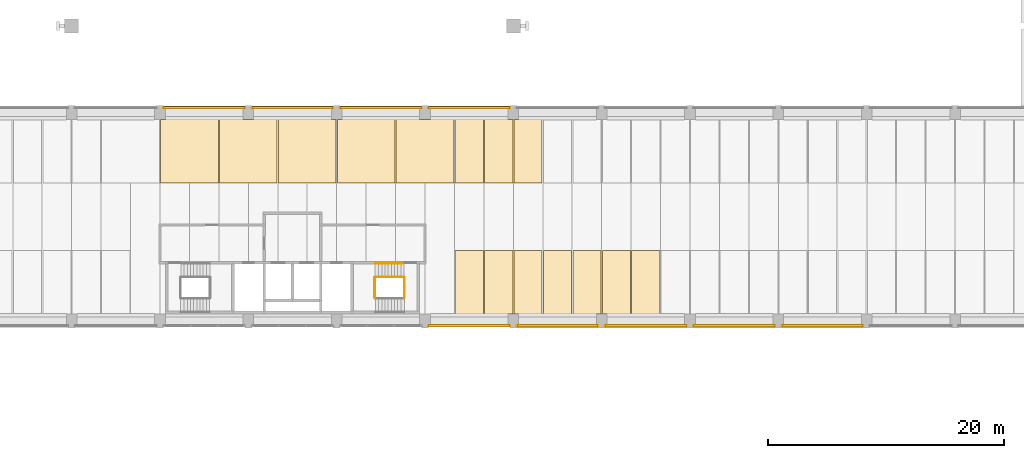
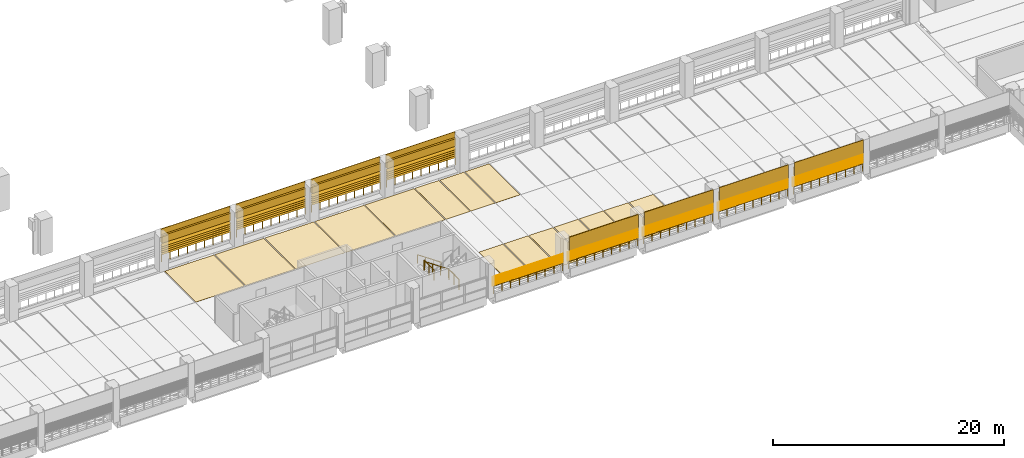
# One storey, part 42 of 57: 45 shading devices, 23 coverings, 13 railings.
"""IFC4 building model written with IfcOpenShell, lengths in metres."""

import ifcopenshell
import ifcopenshell.guid

model = None  # the IFC model being written
_history = None  # IfcOwnerHistory: only IFC2X3 demands one
_inside = {}  # id of a spatial element -> (the spatial element, [elements in it])
_under = {}  # id of a project, library or spatial element -> (it, [spatial elements below it])
_declared = {}  # id of a project -> (the project, [libraries it declares])
_typed = {}  # id of a type object -> (the type object, [elements of that type])
_made_of = {}  # id of a material, layer set ... -> (it, [elements and type objects made of it])


def new_model(schema):
    """Start an empty IFC model of exactly this schema.

    Asked for "IFC4X3", IfcOpenShell would pick the latest addendum, in which some entities
    have other attributes; the version numbers below select the first issue.
    IFC2X3 requires an IfcOwnerHistory on every rooted entity: one is made here for all.
    """
    global model, _history
    if schema == "IFC4X3":
        model = ifcopenshell.file(schema_version=(4, 3, 0, 0))
    else:
        model = ifcopenshell.file(schema=schema)
    _inside.clear()
    _under.clear()
    _declared.clear()
    _typed.clear()
    _made_of.clear()
    _history = None
    if model.schema == "IFC2X3":
        org = make("IfcOrganization", Name="unknown")
        user = make(
            "IfcPersonAndOrganization",
            ThePerson=make("IfcPerson", FamilyName="unknown"),
            TheOrganization=org,
        )
        app = make(
            "IfcApplication",
            ApplicationDeveloper=org,
            Version="unknown",
            ApplicationFullName="unknown",
            ApplicationIdentifier="unknown",
        )
        _history = make(
            "IfcOwnerHistory",
            OwningUser=user,
            OwningApplication=app,
            ChangeAction="ADDED",
            CreationDate=0,
        )
    return model


def make(cls, **values):
    """One entity of the class cls with the attributes given. An attribute that is None is left unset."""
    return model.create_entity(
        cls, **{name: value for name, value in values.items() if value is not None}
    )


def rooted(cls, **values):
    """An entity with a GlobalId (a new one), such as an element, a storey or a relation."""
    return make(cls, GlobalId=ifcopenshell.guid.new(), OwnerHistory=_history, **values)


def si_unit(unit_type, name, prefix=None):
    """IfcSIUnit, for example si_unit("LENGTHUNIT", "METRE", prefix="MILLI")."""
    return make("IfcSIUnit", UnitType=unit_type, Prefix=prefix, Name=name)


def assignment(units):
    """IfcUnitAssignment: the units of a project."""
    return None if units is None else make("IfcUnitAssignment", Units=units)


def point(xyz):
    """IfcCartesianPoint."""
    return None if xyz is None else make("IfcCartesianPoint", Coordinates=xyz)


def direction(xyz):
    """IfcDirection."""
    return None if xyz is None else make("IfcDirection", DirectionRatios=xyz)


def frame(location, z_axis=None, x_axis=None):
    """IfcAxis2Placement3D, a coordinate frame: its origin and axes. An axis left out is left unset."""
    return make(
        "IfcAxis2Placement3D",
        Location=point(location),
        Axis=direction(z_axis),
        RefDirection=direction(x_axis),
    )


def frame_2d(location, x_axis=None):
    """IfcAxis2Placement2D, a coordinate frame in the plane: its origin and x axis."""
    return make(
        "IfcAxis2Placement2D", Location=point(location), RefDirection=direction(x_axis)
    )


def origin():
    """The frame at (0, 0, 0) with its axes left unset."""
    return frame((0.0, 0.0, 0.0))


def origin_2d():
    """The frame at (0, 0) in the plane with its x axis left unset."""
    return frame_2d((0.0, 0.0))


def place(relative_to, where):
    """IfcLocalPlacement: puts the frame where relative to a parent placement (None: the world)."""
    return make(
        "IfcLocalPlacement", PlacementRelTo=relative_to, RelativePlacement=where
    )


def context(
    kind, dimensions, precision=None, world=None, true_north=None, identifier=None
):
    """IfcGeometricRepresentationContext, for example the 3D "Model" context."""
    return make(
        "IfcGeometricRepresentationContext",
        ContextIdentifier=identifier,
        ContextType=kind,
        CoordinateSpaceDimension=dimensions,
        Precision=precision,
        WorldCoordinateSystem=world,
        TrueNorth=true_north,
    )


def subcontext(parent, identifier, kind, view, scale=None):
    """IfcGeometricRepresentationSubContext, for example "Body" below "Model"."""
    return make(
        "IfcGeometricRepresentationSubContext",
        ContextIdentifier=identifier,
        ContextType=kind,
        ParentContext=parent,
        TargetScale=scale,
        TargetView=view,
    )


def project(units=None, contexts=None):
    """IfcProject with its units and contexts."""
    return rooted(
        "IfcProject",
        Name="project",
        RepresentationContexts=contexts,
        UnitsInContext=assignment(units),
    )


def spatial(cls, under=None, at=None, **own):
    """A site, building, storey or space (cls), placed at a placement, below another one or the project."""
    s = rooted(cls, ObjectPlacement=at, **own)
    if under is not None:
        _under.setdefault(under.id(), (under, []))[1].append(s)
    return s


def polyline(points):
    """IfcPolyline through the points."""
    return make("IfcPolyline", Points=[point(p) for p in points])


def profile(cls, at=None, kind="AREA", **sizes):
    """A parametric profile (cls). Its sizes go by their IFC names, for example OverallWidth=200.0."""
    return make(cls, ProfileType=kind, Position=at, **sizes)


def circle(**sizes):
    """IfcCircleProfileDef."""
    return profile("IfcCircleProfileDef", **sizes)


def outline(outer, holes=None, kind="AREA"):
    """IfcArbitraryClosedProfileDef: a profile drawn as a closed curve; with holes, ...WithVoids."""
    if holes is None:
        return make("IfcArbitraryClosedProfileDef", ProfileType=kind, OuterCurve=outer)
    return make(
        "IfcArbitraryProfileDefWithVoids",
        ProfileType=kind,
        OuterCurve=outer,
        InnerCurves=holes,
    )


def extrude(swept, where, along, depth):
    """IfcExtrudedAreaSolid: the profile swept, set in the frame where, extruded along a direction by depth."""
    return make(
        "IfcExtrudedAreaSolid",
        SweptArea=swept,
        Position=where,
        ExtrudedDirection=direction(along),
        Depth=depth,
    )


def shape(context_of_items, identifier, shape_type, items):
    """IfcShapeRepresentation: the items that make up one representation, for example the "Body"."""
    return make(
        "IfcShapeRepresentation",
        ContextOfItems=context_of_items,
        RepresentationIdentifier=identifier,
        RepresentationType=shape_type,
        Items=items,
    )


def material(Name=None, Category=None):
    """IfcMaterial."""
    return make("IfcMaterial", Name=Name, Category=Category)


def layer(
    of_material, thickness, ventilated=None, Name=None, Category=None, Priority=None
):
    """IfcMaterialLayer: one layer of a wall or slab, of a material (None: an air gap)."""
    return make(
        "IfcMaterialLayer",
        Material=of_material,
        LayerThickness=thickness,
        IsVentilated=ventilated,
        Name=Name,
        Category=Category,
        Priority=Priority,
    )


def layer_set(layers, Name=None):
    """IfcMaterialLayerSet."""
    return make("IfcMaterialLayerSet", MaterialLayers=layers, LayerSetName=Name)


def made_of(thing, what):
    """Note that an element or type object is made of a material, layer set ...; save() writes the relation."""
    if what is not None:
        _made_of.setdefault(what.id(), (what, []))[1].append(thing)
    return thing


def type_object(cls, material=None, **own):
    """A type object (cls), such as IfcWallType, which elements share."""
    return made_of(rooted(cls, **own), material)


def element(
    cls,
    number,
    at=None,
    inside=None,
    cuts=None,
    type_object=None,
    material=None,
    context=None,
    identifier="Body",
    shape_type=None,
    held_by="IfcProductDefinitionShape",
    body=None,
    shapes=None,
    **own,
):
    """One element of the class cls, such as IfcWall. Its Tag is "e" and its number.

    at: its placement. inside: the storey or other place that contains it. cuts: it is an
    opening in that element (IfcRelVoidsElement). A single representation is given by context,
    identifier, shape_type and body (its items); several are given by shapes. held_by: the class
    of the entity that holds the representations. save() writes the other relations.
    """
    e = rooted(cls, Tag="e%d" % number, ObjectPlacement=at, **own)
    if body is not None:
        shapes = [shape(context, identifier, shape_type, body)]
    if shapes is not None:
        e.Representation = make(held_by, Representations=shapes)
    if inside is not None:
        _inside.setdefault(inside.id(), (inside, []))[1].append(e)
    if cuts is not None:
        rooted(
            "IfcRelVoidsElement", RelatingBuildingElement=cuts, RelatedOpeningElement=e
        )
    if type_object is not None:
        _typed.setdefault(type_object.id(), (type_object, []))[1].append(e)
    return made_of(e, material)


def aggregate(whole, parts):
    """IfcRelAggregates: a whole, such as a stair, and the parts it consists of."""
    return rooted("IfcRelAggregates", RelatingObject=whole, RelatedObjects=parts)


def save(model, path):
    """Write the relations noted so far, then the file.

    IfcRelAggregates (storeys below a building ...), IfcRelContainedInSpatialStructure (elements
    in a storey), IfcRelDefinesByType, IfcRelAssociatesMaterial and IfcRelDeclares: one each for
    every whole, place, type object, material and project.
    """
    for whole, parts in _under.values():
        aggregate(whole, parts)
    for where, things in _inside.values():
        rooted(
            "IfcRelContainedInSpatialStructure",
            RelatedElements=things,
            RelatingStructure=where,
        )
    for kind, things in _typed.values():
        rooted("IfcRelDefinesByType", RelatedObjects=things, RelatingType=kind)
    for what, things in _made_of.values():
        rooted("IfcRelAssociatesMaterial", RelatedObjects=things, RelatingMaterial=what)
    for by, libraries in _declared.values():
        rooted("IfcRelDeclares", RelatingContext=by, RelatedDefinitions=libraries)
    model.write(path)


model = new_model("IFC4")

# Units and contexts
model_context = context("Model", 3, precision=1e-05, world=origin(), true_north=direction((0.0, 1.0)))
body_context = subcontext(model_context, "Body", "Model", "MODEL_VIEW")
ifc_project = project(units=[si_unit("LENGTHUNIT", "METRE"), si_unit("AREAUNIT", "SQUARE_METRE"), si_unit("VOLUMEUNIT", "CUBIC_METRE"), si_unit("PLANEANGLEUNIT", "RADIAN"), si_unit("MASSUNIT", "GRAM", prefix="KILO")], contexts=[model_context])

# Site, building, storey
site_placement = place(None, origin())
site = spatial("IfcSite", under=ifc_project, at=site_placement, CompositionType="ELEMENT")
building_placement = place(site_placement, origin())
building = spatial("IfcBuilding", under=site, at=building_placement, Name="Cour d'Honneur Mobility Palace", CompositionType="ELEMENT")
storey_placement = place(building_placement, frame((0.0, 0.0, 8.199951171875)))
storey = spatial("IfcBuildingStorey", under=building, at=storey_placement, Name="L02", CompositionType="ELEMENT", Elevation=8.199951171875)

# Coverings
ifc_material_1 = material(Name="Accessible bay marking paint")
ifc_layer_1 = layer(ifc_material_1, 0.0048828125)
ifc_layer_set_1 = layer_set([ifc_layer_1], Name="Accessible bay marking paint")
covering_type_1 = type_object("IfcCoveringType", Name="Accessible parking bay marking", PredefinedType="FLOORING", material=ifc_layer_set_1)
covering_1_placement = place(storey_placement, origin())
element("IfcCovering", 1, at=covering_1_placement, inside=storey, type_object=covering_type_1, Name="Accessible parking bay marking L02 2", PredefinedType="FLOORING", context=body_context, shape_type="SweptSolid", body=[
    extrude(outline(polyline([(69.949951171875, 56.550048828125), (69.949951171875, 61.949951171875), (74.85009765625, 61.949951171875), (74.85009765625, 56.550048828125), (69.949951171875, 56.550048828125)])), origin(), (0.0, 0.0, 1.0), 0.005126953125),
])
covering_2_placement = place(storey_placement, origin())
element("IfcCovering", 2, at=covering_2_placement, inside=storey, type_object=covering_type_1, Name="Accessible parking bay marking L02 3", PredefinedType="FLOORING", context=body_context, shape_type="SweptSolid", body=[
    extrude(outline(polyline([(74.949951171875, 56.550048828125), (74.949951171875, 61.949951171875), (79.85009765625, 61.949951171875), (79.85009765625, 56.550048828125), (74.949951171875, 56.550048828125)])), origin(), (0.0, 0.0, 1.0), 0.005126953125),
])
covering_3_placement = place(storey_placement, origin())
element("IfcCovering", 3, at=covering_3_placement, inside=storey, type_object=covering_type_1, Name="Accessible parking bay marking L02 4", PredefinedType="FLOORING", context=body_context, shape_type="SweptSolid", body=[
    extrude(outline(polyline([(79.949951171875, 56.550048828125), (79.949951171875, 61.949951171875), (84.85009765625, 61.949951171875), (84.85009765625, 56.550048828125), (79.949951171875, 56.550048828125)])), origin(), (0.0, 0.0, 1.0), 0.005126953125),
])
covering_4_placement = place(storey_placement, origin())
element("IfcCovering", 4, at=covering_4_placement, inside=storey, type_object=covering_type_1, Name="Accessible parking bay marking L02 5", PredefinedType="FLOORING", context=body_context, shape_type="SweptSolid", body=[
    extrude(outline(polyline([(84.949951171875, 56.550048828125), (84.949951171875, 61.949951171875), (89.85009765625, 61.949951171875), (89.85009765625, 56.550048828125), (84.949951171875, 56.550048828125)])), origin(), (0.0, 0.0, 1.0), 0.005126953125),
])
covering_5_placement = place(storey_placement, origin())
element("IfcCovering", 5, at=covering_5_placement, inside=storey, type_object=covering_type_1, Name="Accessible parking bay marking L02 6", PredefinedType="FLOORING", context=body_context, shape_type="SweptSolid", body=[
    extrude(outline(polyline([(89.949951171875, 56.550048828125), (89.949951171875, 61.949951171875), (94.85009765625, 61.949951171875), (94.85009765625, 56.550048828125), (89.949951171875, 56.550048828125)])), origin(), (0.0, 0.0, 1.0), 0.005126953125),
])

# Railings
ifc_material_2 = material(Name="Painted steel", Category="steel")
railing_type_1 = type_object("IfcRailingType", Name="Balustrade", PredefinedType="BALUSTRADE", material=ifc_material_2)
for number, where, name in (
    (6, (92.699951171875, 44.449951171875, 0.300048828125), "Balustrade BAL-81"),
    (7, (100.199951171875, 44.449951171875, 0.300048828125), "Balustrade BAL-82"),
    (8, (107.699951171875, 44.449951171875, 0.300048828125), "Balustrade BAL-83"),
    (9, (115.199951171875, 44.449951171875, 0.300048828125), "Balustrade BAL-84"),
    (10, (122.699951171875, 44.449951171875, 0.300048828125), "Balustrade BAL-85"),
):
    element("IfcRailing", number, at=place(storey_placement, frame(where)), inside=storey, type_object=railing_type_1, Name=name, PredefinedType="BALUSTRADE", context=body_context, shape_type="SweptSolid", body=[
        extrude(circle(Radius=0.02392578125, at=origin_2d()), frame((0.0, 0.0, 0.77587890625), z_axis=(1.0, 0.0, 0.0), x_axis=(0.0, 1.0, 0.0)), (0.0, 0.0, 1.0), 6.900146484375),
        extrude(circle(Radius=0.02099609375, at=origin_2d()), origin(), (0.0, 0.0, 1.0), 0.751953125),
        extrude(circle(Radius=0.02099609375, at=origin_2d()), frame((0.862548828125, 0.0, 0.0)), (0.0, 0.0, 1.0), 0.751953125),
        extrude(circle(Radius=0.02099609375, at=origin_2d()), frame((1.72509765625, 0.0, 0.0)), (0.0, 0.0, 1.0), 0.751953125),
        extrude(circle(Radius=0.02099609375, at=origin_2d()), frame((2.587646484375, 0.0, 0.0)), (0.0, 0.0, 1.0), 0.751953125),
        extrude(circle(Radius=0.02099609375, at=origin_2d()), frame((3.4501953125, 0.0, 0.0)), (0.0, 0.0, 1.0), 0.751953125),
        extrude(circle(Radius=0.02099609375, at=origin_2d()), frame((4.3125, 0.0, 0.0)), (0.0, 0.0, 1.0), 0.751953125),
        extrude(circle(Radius=0.02099609375, at=origin_2d()), frame((5.175048828125, 0.0, 0.0)), (0.0, 0.0, 1.0), 0.751953125),
        extrude(circle(Radius=0.02099609375, at=origin_2d()), frame((6.03759765625, 0.0, 0.0)), (0.0, 0.0, 1.0), 0.751953125),
        extrude(circle(Radius=0.02099609375, at=origin_2d()), frame((6.900146484375, 0.0, 0.0)), (0.0, 0.0, 1.0), 0.751953125),
    ])
for number, where, name in (
    (11, (99.60009765625, 62.949951171875, 0.300048828125), "Balustrade BAL-111"),
    (12, (92.10009765625, 62.949951171875, 0.300048828125), "Balustrade BAL-112"),
    (13, (84.60009765625, 62.949951171875, 0.300048828125), "Balustrade BAL-113"),
    (14, (77.10009765625, 62.949951171875, 0.300048828125), "Balustrade BAL-114"),
):
    element("IfcRailing", number, at=place(storey_placement, frame(where)), inside=storey, type_object=railing_type_1, Name=name, PredefinedType="BALUSTRADE", context=body_context, shape_type="SweptSolid", body=[
        extrude(circle(Radius=0.02392578125, at=origin_2d()), frame((0.0, 0.0, 0.77587890625), z_axis=(-1.0, 0.0, 0.0), x_axis=(0.0, -1.0, 0.0)), (0.0, 0.0, 1.0), 6.900146484375),
        extrude(circle(Radius=0.02099609375, at=origin_2d()), origin(), (0.0, 0.0, 1.0), 0.751953125),
        extrude(circle(Radius=0.02099609375, at=origin_2d()), frame((-0.862548828125, 0.0, 0.0)), (0.0, 0.0, 1.0), 0.751953125),
        extrude(circle(Radius=0.02099609375, at=origin_2d()), frame((-1.72509765625, 0.0, 0.0)), (0.0, 0.0, 1.0), 0.751953125),
        extrude(circle(Radius=0.02099609375, at=origin_2d()), frame((-2.587646484375, 0.0, 0.0)), (0.0, 0.0, 1.0), 0.751953125),
        extrude(circle(Radius=0.02099609375, at=origin_2d()), frame((-3.4501953125, 0.0, 0.0)), (0.0, 0.0, 1.0), 0.751953125),
        extrude(circle(Radius=0.02099609375, at=origin_2d()), frame((-4.3125, 0.0, 0.0)), (0.0, 0.0, 1.0), 0.751953125),
        extrude(circle(Radius=0.02099609375, at=origin_2d()), frame((-5.175048828125, 0.0, 0.0)), (0.0, 0.0, 1.0), 0.751953125),
        extrude(circle(Radius=0.02099609375, at=origin_2d()), frame((-6.03759765625, 0.0, 0.0)), (0.0, 0.0, 1.0), 0.751953125),
        extrude(circle(Radius=0.02099609375, at=origin_2d()), frame((-6.900146484375, 0.0, 0.0)), (0.0, 0.0, 1.0), 0.751953125),
    ])
ifc_material_3 = material(Name="Painted steel", Category="steel")
railing_type_2 = type_object("IfcRailingType", Name="Guardrail 1100", PredefinedType="GUARDRAIL", material=ifc_material_3)
for number, where, name in (
    (15, (90.64501953125, 46.824951171875, 0.0), "Guard ST-CC2"),
    (16, (88.135009765625, 46.824951171875, 1.85009765625), "Landing guard ST-CC2"),
):
    element("IfcRailing", number, at=place(storey_placement, frame(where)), inside=storey, type_object=railing_type_2, Name=name, PredefinedType="GUARDRAIL", context=body_context, shape_type="SweptSolid", body=[
        extrude(circle(Radius=0.02490234375, at=origin_2d()), frame((0.0, 0.0, 1.0751953125), z_axis=(0.0, 1.0, 0.0), x_axis=(-1.0, 0.0, 0.0)), (0.0, 0.0, 1.0), 1.72509765625),
        extrude(circle(Radius=0.02099609375, at=origin_2d()), origin(), (0.0, 0.0, 1.0), 1.050048828125),
        extrude(circle(Radius=0.02099609375, at=origin_2d()), frame((0.0, 0.862548828125, 0.0)), (0.0, 0.0, 1.0), 1.050048828125),
        extrude(circle(Radius=0.02099609375, at=origin_2d()), frame((0.0, 1.72509765625, 0.0)), (0.0, 0.0, 1.0), 1.050048828125),
    ])
ifc_material_4 = material(Name="Stainless steel", Category="steel")
railing_type_3 = type_object("IfcRailingType", Name="Handrail round 50", PredefinedType="HANDRAIL", material=ifc_material_4)
railing_1_placement = place(storey_placement, frame((90.52490234375, 49.75, 0.253662109375)))
element("IfcRailing", 17, at=railing_1_placement, inside=storey, type_object=railing_type_3, Name="Handrail ST-CC2", PredefinedType="HANDRAIL", context=body_context, shape_type="SweptSolid", body=[
    extrude(circle(Radius=0.02490234375, at=origin_2d()), frame((0.0, 0.0, 0.89501953125), z_axis=(-0.824921175984, 0.0, 0.565247780547), x_axis=(0.0, -1.0, 0.0)), (0.0, 0.0, 1.0), 2.82421875),
    extrude(circle(Radius=0.02099609375, at=origin_2d()), origin(), (0.0, 0.0, 1.0), 0.869873046875),
    extrude(circle(Radius=0.02099609375, at=origin_2d()), frame((-0.776611328125, 0.0, 0.5322265625)), (0.0, 0.0, 1.0), 0.869873046875),
    extrude(circle(Radius=0.02099609375, at=origin_2d()), frame((-1.55322265625, 0.0, 1.064208984375)), (0.0, 0.0, 1.0), 0.869873046875),
    extrude(circle(Radius=0.02099609375, at=origin_2d()), frame((-2.329833984375, 0.0, 1.596435546875)), (0.0, 0.0, 1.0), 0.869873046875),
])
railing_2_placement = place(storey_placement, frame((90.625, 48.60009765625, 0.18505859375)))
element("IfcRailing", 18, at=railing_2_placement, inside=storey, type_object=railing_type_3, Name="Handrail ST-CC2", PredefinedType="HANDRAIL", context=body_context, shape_type="SweptSolid", body=[
    extrude(circle(Radius=0.02490234375, at=origin_2d()), frame((0.0, 0.0, 0.89501953125), z_axis=(-0.8249187745, 0.0, 0.56525128525), x_axis=(0.0, -1.0, 0.0)), (0.0, 0.0, 1.0), 2.945556640625),
    extrude(circle(Radius=0.02099609375, at=origin_2d()), origin(), (0.0, 0.0, 1.0), 0.869873046875),
    extrude(circle(Radius=0.02099609375, at=origin_2d()), frame((-0.81005859375, 0.0, 0.554931640625)), (0.0, 0.0, 1.0), 0.869873046875),
    extrude(circle(Radius=0.02099609375, at=origin_2d()), frame((-1.619873046875, 0.0, 1.110107421875)), (0.0, 0.0, 1.0), 0.869873046875),
    extrude(circle(Radius=0.02099609375, at=origin_2d()), frame((-2.429931640625, 0.0, 1.6650390625)), (0.0, 0.0, 1.0), 0.869873046875),
])

# Coverings
ifc_material_5 = material(Name="Parking marking paint")
ifc_layer_2 = layer(ifc_material_5, 0.0048828125)
ifc_layer_set_2 = layer_set([ifc_layer_2], Name="Parking marking paint")
covering_type_2 = type_object("IfcCoveringType", Name="Parking bay marking", PredefinedType="FLOORING", material=ifc_layer_set_2)
covering_6_placement = place(storey_placement, origin())
element("IfcCovering", 19, at=covering_6_placement, inside=storey, type_object=covering_type_2, Name="Parking bay marking L02 14", PredefinedType="FLOORING", context=body_context, shape_type="SweptSolid", body=[
    extrude(outline(polyline([(97.35009765625, 56.550048828125), (94.949951171875, 56.550048828125), (94.949951171875, 61.949951171875), (97.35009765625, 61.949951171875), (97.35009765625, 56.550048828125)])), origin(), (0.0, 0.0, 1.0), 0.005126953125),
])
covering_7_placement = place(storey_placement, origin())
element("IfcCovering", 20, at=covering_7_placement, inside=storey, type_object=covering_type_2, Name="Parking bay marking L02 15", PredefinedType="FLOORING", context=body_context, shape_type="SweptSolid", body=[
    extrude(outline(polyline([(99.85009765625, 56.550048828125), (97.449951171875, 56.550048828125), (97.449951171875, 61.949951171875), (99.85009765625, 61.949951171875), (99.85009765625, 56.550048828125)])), origin(), (0.0, 0.0, 1.0), 0.005126953125),
])
covering_8_placement = place(storey_placement, origin())
element("IfcCovering", 21, at=covering_8_placement, inside=storey, type_object=covering_type_2, Name="Parking bay marking L02 16", PredefinedType="FLOORING", context=body_context, shape_type="SweptSolid", body=[
    extrude(outline(polyline([(102.35009765625, 56.550048828125), (99.949951171875, 56.550048828125), (99.949951171875, 61.949951171875), (102.35009765625, 61.949951171875), (102.35009765625, 56.550048828125)])), origin(), (0.0, 0.0, 1.0), 0.005126953125),
])
covering_9_placement = place(storey_placement, origin())
element("IfcCovering", 22, at=covering_9_placement, inside=storey, type_object=covering_type_2, Name="Parking bay marking L02 53", PredefinedType="FLOORING", context=body_context, shape_type="SweptSolid", body=[
    extrude(outline(polyline([(97.35009765625, 45.449951171875), (94.949951171875, 45.449951171875), (94.949951171875, 50.85009765625), (97.35009765625, 50.85009765625), (97.35009765625, 45.449951171875)])), origin(), (0.0, 0.0, 1.0), 0.005126953125),
])
covering_10_placement = place(storey_placement, origin())
element("IfcCovering", 23, at=covering_10_placement, inside=storey, type_object=covering_type_2, Name="Parking bay marking L02 54", PredefinedType="FLOORING", context=body_context, shape_type="SweptSolid", body=[
    extrude(outline(polyline([(99.85009765625, 45.449951171875), (97.449951171875, 45.449951171875), (97.449951171875, 50.85009765625), (99.85009765625, 50.85009765625), (99.85009765625, 45.449951171875)])), origin(), (0.0, 0.0, 1.0), 0.005126953125),
])
covering_11_placement = place(storey_placement, origin())
element("IfcCovering", 24, at=covering_11_placement, inside=storey, type_object=covering_type_2, Name="Parking bay marking L02 55", PredefinedType="FLOORING", context=body_context, shape_type="SweptSolid", body=[
    extrude(outline(polyline([(102.35009765625, 45.449951171875), (99.949951171875, 45.449951171875), (99.949951171875, 50.85009765625), (102.35009765625, 50.85009765625), (102.35009765625, 45.449951171875)])), origin(), (0.0, 0.0, 1.0), 0.005126953125),
])
covering_12_placement = place(storey_placement, origin())
element("IfcCovering", 25, at=covering_12_placement, inside=storey, type_object=covering_type_2, Name="Parking bay marking L02 56", PredefinedType="FLOORING", context=body_context, shape_type="SweptSolid", body=[
    extrude(outline(polyline([(104.85009765625, 45.449951171875), (102.449951171875, 45.449951171875), (102.449951171875, 50.85009765625), (104.85009765625, 50.85009765625), (104.85009765625, 45.449951171875)])), origin(), (0.0, 0.0, 1.0), 0.005126953125),
])
covering_13_placement = place(storey_placement, origin())
element("IfcCovering", 26, at=covering_13_placement, inside=storey, type_object=covering_type_2, Name="Parking bay marking L02 57", PredefinedType="FLOORING", context=body_context, shape_type="SweptSolid", body=[
    extrude(outline(polyline([(107.35009765625, 45.449951171875), (104.949951171875, 45.449951171875), (104.949951171875, 50.85009765625), (107.35009765625, 50.85009765625), (107.35009765625, 45.449951171875)])), origin(), (0.0, 0.0, 1.0), 0.005126953125),
])
covering_14_placement = place(storey_placement, origin())
element("IfcCovering", 27, at=covering_14_placement, inside=storey, type_object=covering_type_2, Name="Parking bay marking L02 58", PredefinedType="FLOORING", context=body_context, shape_type="SweptSolid", body=[
    extrude(outline(polyline([(109.85009765625, 45.449951171875), (107.449951171875, 45.449951171875), (107.449951171875, 50.85009765625), (109.85009765625, 50.85009765625), (109.85009765625, 45.449951171875)])), origin(), (0.0, 0.0, 1.0), 0.005126953125),
])
covering_15_placement = place(storey_placement, origin())
element("IfcCovering", 28, at=covering_15_placement, inside=storey, type_object=covering_type_2, Name="Parking bay marking L02 59", PredefinedType="FLOORING", context=body_context, shape_type="SweptSolid", body=[
    extrude(outline(polyline([(112.35009765625, 45.449951171875), (109.949951171875, 45.449951171875), (109.949951171875, 50.85009765625), (112.35009765625, 50.85009765625), (112.35009765625, 45.449951171875)])), origin(), (0.0, 0.0, 1.0), 0.005126953125),
])
ifc_material_6 = material(Name="Cast limestone", Category="masonry")
ifc_layer_3 = layer(ifc_material_6, 0.25)
ifc_layer_set_3 = layer_set([ifc_layer_3], Name="Cast limestone")
covering_type_3 = type_object("IfcCoveringType", Name="Spandrel cladding", PredefinedType="CLADDING", material=ifc_layer_set_3)
for number, where, z_axis, x_axis, name in (
    (29, (100.199951171875, 44.550048828125, 2.300048828125), (-1.0, 0.0, 0.0), (0.0, -1.0, 0.0), "Spandrel cladding SK-150"),
    (30, (107.699951171875, 44.550048828125, 2.300048828125), (-1.0, 0.0, 0.0), (0.0, -1.0, 0.0), "Spandrel cladding SK-151"),
    (31, (115.199951171875, 44.550048828125, 2.300048828125), (-1.0, 0.0, 0.0), (0.0, -1.0, 0.0), "Spandrel cladding SK-152"),
    (32, (122.699951171875, 44.550048828125, 2.300048828125), (-1.0, 0.0, 0.0), (0.0, -1.0, 0.0), "Spandrel cladding SK-153"),
    (33, (99.60009765625, 62.85009765625, 2.300048828125), (1.0, 0.0, 0.0), (0.0, 1.0, 0.0), "Spandrel cladding SK-182"),
    (34, (92.10009765625, 62.85009765625, 2.300048828125), (1.0, 0.0, 0.0), (0.0, 1.0, 0.0), "Spandrel cladding SK-183"),
    (35, (84.60009765625, 62.85009765625, 2.300048828125), (1.0, 0.0, 0.0), (0.0, 1.0, 0.0), "Spandrel cladding SK-184"),
    (36, (77.10009765625, 62.85009765625, 2.300048828125), (1.0, 0.0, 0.0), (0.0, 1.0, 0.0), "Spandrel cladding SK-185"),
):
    element("IfcCovering", number, at=place(storey_placement, frame(where, z_axis=z_axis, x_axis=x_axis)), inside=storey, type_object=covering_type_3, Name=name, PredefinedType="CLADDING", context=body_context, shape_type="SweptSolid", body=[
        extrude(outline(polyline([(0.0, 0.0), (0.25, 0.0), (0.25, 1.39990234375), (0.199951171875, 1.39990234375), (0.199951171875, 0.800048828125), (0.0, 0.800048828125), (0.0, 0.0)])), origin(), (0.0, 0.0, -1.0), 6.89990234375),
    ])

# Shading devices
ifc_material_7 = material(Name="Terracotta", Category="masonry")
ifc_layer_4 = layer(ifc_material_7, 0.02490234375)
ifc_layer_set_4 = layer_set([ifc_layer_4], Name="Terracotta")
shading_device_type = type_object("IfcShadingDeviceType", Name="Terracotta louvre blade", PredefinedType="JALOUSIE", material=ifc_layer_set_4)
for number, where, z_axis, x_axis, name in (
    (37, (92.699951171875, 44.55615234375, 1.10009765625), (0.0, 0.707106781187, 0.707106781187), (1.0, 0.0, 0.0), "Louvre blade LV-1 S2.10 L02 1"),
    (38, (92.699951171875, 44.55615234375, 1.312255859375), (0.0, 0.707106781187, 0.707106781187), (1.0, 0.0, 0.0), "Louvre blade LV-1 S2.10 L02 2"),
):
    element("IfcShadingDevice", number, at=place(storey_placement, frame(where, z_axis=z_axis, x_axis=x_axis)), inside=storey, type_object=shading_device_type, Name=name, PredefinedType="JALOUSIE", context=body_context, shape_type="SweptSolid", body=[
        extrude(outline(polyline([(0.0, 0.0), (6.900146484375, 0.0), (6.900146484375, -0.300037008228081), (0.0, -0.300037008228081), (0.0, 0.0)])), origin(), (0.0, 0.0, -1.0), 0.02490234375),
    ])
shading_device_1_placement = place(storey_placement, frame((92.699951171875, 44.55615234375, 1.5244140625), z_axis=(0.0, 0.706699578995, 0.707513749017), x_axis=(1.0, 0.0, 0.0)))
element("IfcShadingDevice", 39, at=shading_device_1_placement, inside=storey, type_object=shading_device_type, Name="Louvre blade LV-1 S2.10 L02 3", PredefinedType="JALOUSIE", context=body_context, shape_type="SweptSolid", body=[
    extrude(outline(polyline([(0.0, 0.0), (6.900146484375, 0.0), (6.900146484375, -0.29986442442957895), (0.0, -0.29986442442957895), (0.0, 0.0)])), origin(), (0.0, 0.0, -1.0), 0.02490234375),
])
for number, where, z_axis, x_axis, name in (
    (40, (92.699951171875, 44.55615234375, 1.736328125), (0.0, 0.707106781187, 0.707106781187), (1.0, 0.0, 0.0), "Louvre blade LV-1 S2.10 L02 4"),
    (41, (92.699951171875, 44.55615234375, 1.948486328125), (0.0, 0.707106781187, 0.707106781187), (1.0, 0.0, 0.0), "Louvre blade LV-1 S2.10 L02 5"),
    (42, (100.199951171875, 44.55615234375, 1.10009765625), (0.0, 0.707106781187, 0.707106781187), (1.0, 0.0, 0.0), "Louvre blade LV-1 S2.11 L02 1"),
    (43, (100.199951171875, 44.55615234375, 1.312255859375), (0.0, 0.707106781187, 0.707106781187), (1.0, 0.0, 0.0), "Louvre blade LV-1 S2.11 L02 2"),
):
    element("IfcShadingDevice", number, at=place(storey_placement, frame(where, z_axis=z_axis, x_axis=x_axis)), inside=storey, type_object=shading_device_type, Name=name, PredefinedType="JALOUSIE", context=body_context, shape_type="SweptSolid", body=[
        extrude(outline(polyline([(0.0, 0.0), (6.900146484375, 0.0), (6.900146484375, -0.300037008228081), (0.0, -0.300037008228081), (0.0, 0.0)])), origin(), (0.0, 0.0, -1.0), 0.02490234375),
    ])
shading_device_2_placement = place(storey_placement, frame((100.199951171875, 44.55615234375, 1.5244140625), z_axis=(0.0, 0.706699578995, 0.707513749017), x_axis=(1.0, 0.0, 0.0)))
element("IfcShadingDevice", 44, at=shading_device_2_placement, inside=storey, type_object=shading_device_type, Name="Louvre blade LV-1 S2.11 L02 3", PredefinedType="JALOUSIE", context=body_context, shape_type="SweptSolid", body=[
    extrude(outline(polyline([(0.0, 0.0), (6.900146484375, 0.0), (6.900146484375, -0.29986442442957895), (0.0, -0.29986442442957895), (0.0, 0.0)])), origin(), (0.0, 0.0, -1.0), 0.02490234375),
])
for number, where, z_axis, x_axis, name in (
    (45, (100.199951171875, 44.55615234375, 1.736328125), (0.0, 0.707106781187, 0.707106781187), (1.0, 0.0, 0.0), "Louvre blade LV-1 S2.11 L02 4"),
    (46, (100.199951171875, 44.55615234375, 1.948486328125), (0.0, 0.707106781187, 0.707106781187), (1.0, 0.0, 0.0), "Louvre blade LV-1 S2.11 L02 5"),
    (47, (107.699951171875, 44.55615234375, 1.10009765625), (0.0, 0.707106781187, 0.707106781187), (1.0, 0.0, 0.0), "Louvre blade LV-1 S2.12 L02 1"),
    (48, (107.699951171875, 44.55615234375, 1.312255859375), (0.0, 0.707106781187, 0.707106781187), (1.0, 0.0, 0.0), "Louvre blade LV-1 S2.12 L02 2"),
):
    element("IfcShadingDevice", number, at=place(storey_placement, frame(where, z_axis=z_axis, x_axis=x_axis)), inside=storey, type_object=shading_device_type, Name=name, PredefinedType="JALOUSIE", context=body_context, shape_type="SweptSolid", body=[
        extrude(outline(polyline([(0.0, 0.0), (6.900146484375, 0.0), (6.900146484375, -0.300037008228081), (0.0, -0.300037008228081), (0.0, 0.0)])), origin(), (0.0, 0.0, -1.0), 0.02490234375),
    ])
shading_device_3_placement = place(storey_placement, frame((107.699951171875, 44.55615234375, 1.5244140625), z_axis=(0.0, 0.706699578995, 0.707513749017), x_axis=(1.0, 0.0, 0.0)))
element("IfcShadingDevice", 49, at=shading_device_3_placement, inside=storey, type_object=shading_device_type, Name="Louvre blade LV-1 S2.12 L02 3", PredefinedType="JALOUSIE", context=body_context, shape_type="SweptSolid", body=[
    extrude(outline(polyline([(0.0, 0.0), (6.900146484375, 0.0), (6.900146484375, -0.29986442442957895), (0.0, -0.29986442442957895), (0.0, 0.0)])), origin(), (0.0, 0.0, -1.0), 0.02490234375),
])
for number, where, z_axis, x_axis, name in (
    (50, (107.699951171875, 44.55615234375, 1.736328125), (0.0, 0.707106781187, 0.707106781187), (1.0, 0.0, 0.0), "Louvre blade LV-1 S2.12 L02 4"),
    (51, (107.699951171875, 44.55615234375, 1.948486328125), (0.0, 0.707106781187, 0.707106781187), (1.0, 0.0, 0.0), "Louvre blade LV-1 S2.12 L02 5"),
    (52, (115.199951171875, 44.55615234375, 1.10009765625), (0.0, 0.707106781187, 0.707106781187), (1.0, 0.0, 0.0), "Louvre blade LV-1 S2.13 L02 1"),
    (53, (115.199951171875, 44.55615234375, 1.312255859375), (0.0, 0.707106781187, 0.707106781187), (1.0, 0.0, 0.0), "Louvre blade LV-1 S2.13 L02 2"),
):
    element("IfcShadingDevice", number, at=place(storey_placement, frame(where, z_axis=z_axis, x_axis=x_axis)), inside=storey, type_object=shading_device_type, Name=name, PredefinedType="JALOUSIE", context=body_context, shape_type="SweptSolid", body=[
        extrude(outline(polyline([(0.0, 0.0), (6.900146484375, 0.0), (6.900146484375, -0.300037008228081), (0.0, -0.300037008228081), (0.0, 0.0)])), origin(), (0.0, 0.0, -1.0), 0.02490234375),
    ])
shading_device_4_placement = place(storey_placement, frame((115.199951171875, 44.55615234375, 1.5244140625), z_axis=(0.0, 0.706699578995, 0.707513749017), x_axis=(1.0, 0.0, 0.0)))
element("IfcShadingDevice", 54, at=shading_device_4_placement, inside=storey, type_object=shading_device_type, Name="Louvre blade LV-1 S2.13 L02 3", PredefinedType="JALOUSIE", context=body_context, shape_type="SweptSolid", body=[
    extrude(outline(polyline([(0.0, 0.0), (6.900146484375, 0.0), (6.900146484375, -0.29986442442957895), (0.0, -0.29986442442957895), (0.0, 0.0)])), origin(), (0.0, 0.0, -1.0), 0.02490234375),
])
for number, where, z_axis, x_axis, name in (
    (55, (115.199951171875, 44.55615234375, 1.736328125), (0.0, 0.707106781187, 0.707106781187), (1.0, 0.0, 0.0), "Louvre blade LV-1 S2.13 L02 4"),
    (56, (115.199951171875, 44.55615234375, 1.948486328125), (0.0, 0.707106781187, 0.707106781187), (1.0, 0.0, 0.0), "Louvre blade LV-1 S2.13 L02 5"),
    (57, (122.699951171875, 44.55615234375, 1.10009765625), (0.0, 0.707106781187, 0.707106781187), (1.0, 0.0, 0.0), "Louvre blade LV-1 S2.14 L02 1"),
    (58, (122.699951171875, 44.55615234375, 1.312255859375), (0.0, 0.707106781187, 0.707106781187), (1.0, 0.0, 0.0), "Louvre blade LV-1 S2.14 L02 2"),
):
    element("IfcShadingDevice", number, at=place(storey_placement, frame(where, z_axis=z_axis, x_axis=x_axis)), inside=storey, type_object=shading_device_type, Name=name, PredefinedType="JALOUSIE", context=body_context, shape_type="SweptSolid", body=[
        extrude(outline(polyline([(0.0, 0.0), (6.900146484375, 0.0), (6.900146484375, -0.300037008228081), (0.0, -0.300037008228081), (0.0, 0.0)])), origin(), (0.0, 0.0, -1.0), 0.02490234375),
    ])
shading_device_5_placement = place(storey_placement, frame((122.699951171875, 44.55615234375, 1.5244140625), z_axis=(0.0, 0.706699578995, 0.707513749017), x_axis=(1.0, 0.0, 0.0)))
element("IfcShadingDevice", 59, at=shading_device_5_placement, inside=storey, type_object=shading_device_type, Name="Louvre blade LV-1 S2.14 L02 3", PredefinedType="JALOUSIE", context=body_context, shape_type="SweptSolid", body=[
    extrude(outline(polyline([(0.0, 0.0), (6.900146484375, 0.0), (6.900146484375, -0.29986442442957895), (0.0, -0.29986442442957895), (0.0, 0.0)])), origin(), (0.0, 0.0, -1.0), 0.02490234375),
])
for number, where, z_axis, x_axis, name in (
    (60, (122.699951171875, 44.55615234375, 1.736328125), (0.0, 0.707106781187, 0.707106781187), (1.0, 0.0, 0.0), "Louvre blade LV-1 S2.14 L02 4"),
    (61, (122.699951171875, 44.55615234375, 1.948486328125), (0.0, 0.707106781187, 0.707106781187), (1.0, 0.0, 0.0), "Louvre blade LV-1 S2.14 L02 5"),
    (62, (99.60009765625, 62.843994140625, 1.10009765625), (0.0, -0.707106781187, 0.707106781187), (-1.0, 0.0, 0.0), "Louvre blade LV-1 N8.6 L02 1"),
    (63, (99.60009765625, 62.843994140625, 1.312255859375), (0.0, -0.707106781187, 0.707106781187), (-1.0, 0.0, 0.0), "Louvre blade LV-1 N8.6 L02 2"),
):
    element("IfcShadingDevice", number, at=place(storey_placement, frame(where, z_axis=z_axis, x_axis=x_axis)), inside=storey, type_object=shading_device_type, Name=name, PredefinedType="JALOUSIE", context=body_context, shape_type="SweptSolid", body=[
        extrude(outline(polyline([(0.0, 0.0), (6.900146484375, 0.0), (6.900146484375, -0.300037008228081), (0.0, -0.300037008228081), (0.0, 0.0)])), origin(), (0.0, 0.0, -1.0), 0.02490234375),
    ])
shading_device_6_placement = place(storey_placement, frame((99.60009765625, 62.843994140625, 1.5244140625), z_axis=(0.0, -0.706699578995, 0.707513749017), x_axis=(-1.0, 0.0, 0.0)))
element("IfcShadingDevice", 64, at=shading_device_6_placement, inside=storey, type_object=shading_device_type, Name="Louvre blade LV-1 N8.6 L02 3", PredefinedType="JALOUSIE", context=body_context, shape_type="SweptSolid", body=[
    extrude(outline(polyline([(0.0, 0.0), (6.900146484375, 0.0), (6.900146484375, -0.29986442442957895), (0.0, -0.29986442442957895), (0.0, 0.0)])), origin(), (0.0, 0.0, -1.0), 0.02490234375),
])
for number, where, z_axis, x_axis, name in (
    (65, (99.60009765625, 62.843994140625, 1.736328125), (0.0, -0.707106781187, 0.707106781187), (-1.0, 0.0, 0.0), "Louvre blade LV-1 N8.6 L02 4"),
    (66, (99.60009765625, 62.843994140625, 1.948486328125), (0.0, -0.707106781187, 0.707106781187), (-1.0, 0.0, 0.0), "Louvre blade LV-1 N8.6 L02 5"),
    (67, (92.10009765625, 62.843994140625, 1.10009765625), (0.0, -0.707106781187, 0.707106781187), (-1.0, 0.0, 0.0), "Louvre blade LV-1 N8.7 L02 1"),
    (68, (92.10009765625, 62.843994140625, 1.312255859375), (0.0, -0.707106781187, 0.707106781187), (-1.0, 0.0, 0.0), "Louvre blade LV-1 N8.7 L02 2"),
):
    element("IfcShadingDevice", number, at=place(storey_placement, frame(where, z_axis=z_axis, x_axis=x_axis)), inside=storey, type_object=shading_device_type, Name=name, PredefinedType="JALOUSIE", context=body_context, shape_type="SweptSolid", body=[
        extrude(outline(polyline([(0.0, 0.0), (6.900146484375, 0.0), (6.900146484375, -0.300037008228081), (0.0, -0.300037008228081), (0.0, 0.0)])), origin(), (0.0, 0.0, -1.0), 0.02490234375),
    ])
shading_device_7_placement = place(storey_placement, frame((92.10009765625, 62.843994140625, 1.5244140625), z_axis=(0.0, -0.706699578995, 0.707513749017), x_axis=(-1.0, 0.0, 0.0)))
element("IfcShadingDevice", 69, at=shading_device_7_placement, inside=storey, type_object=shading_device_type, Name="Louvre blade LV-1 N8.7 L02 3", PredefinedType="JALOUSIE", context=body_context, shape_type="SweptSolid", body=[
    extrude(outline(polyline([(0.0, 0.0), (6.900146484375, 0.0), (6.900146484375, -0.29986442442957895), (0.0, -0.29986442442957895), (0.0, 0.0)])), origin(), (0.0, 0.0, -1.0), 0.02490234375),
])
for number, where, z_axis, x_axis, name in (
    (70, (92.10009765625, 62.843994140625, 1.736328125), (0.0, -0.707106781187, 0.707106781187), (-1.0, 0.0, 0.0), "Louvre blade LV-1 N8.7 L02 4"),
    (71, (92.10009765625, 62.843994140625, 1.948486328125), (0.0, -0.707106781187, 0.707106781187), (-1.0, 0.0, 0.0), "Louvre blade LV-1 N8.7 L02 5"),
    (72, (84.60009765625, 62.843994140625, 1.10009765625), (0.0, -0.707106781187, 0.707106781187), (-1.0, 0.0, 0.0), "Louvre blade LV-1 N8.8 L02 1"),
    (73, (84.60009765625, 62.843994140625, 1.312255859375), (0.0, -0.707106781187, 0.707106781187), (-1.0, 0.0, 0.0), "Louvre blade LV-1 N8.8 L02 2"),
):
    element("IfcShadingDevice", number, at=place(storey_placement, frame(where, z_axis=z_axis, x_axis=x_axis)), inside=storey, type_object=shading_device_type, Name=name, PredefinedType="JALOUSIE", context=body_context, shape_type="SweptSolid", body=[
        extrude(outline(polyline([(0.0, 0.0), (6.900146484375, 0.0), (6.900146484375, -0.300037008228081), (0.0, -0.300037008228081), (0.0, 0.0)])), origin(), (0.0, 0.0, -1.0), 0.02490234375),
    ])
shading_device_8_placement = place(storey_placement, frame((84.60009765625, 62.843994140625, 1.5244140625), z_axis=(0.0, -0.706699578995, 0.707513749017), x_axis=(-1.0, 0.0, 0.0)))
element("IfcShadingDevice", 74, at=shading_device_8_placement, inside=storey, type_object=shading_device_type, Name="Louvre blade LV-1 N8.8 L02 3", PredefinedType="JALOUSIE", context=body_context, shape_type="SweptSolid", body=[
    extrude(outline(polyline([(0.0, 0.0), (6.900146484375, 0.0), (6.900146484375, -0.29986442442957895), (0.0, -0.29986442442957895), (0.0, 0.0)])), origin(), (0.0, 0.0, -1.0), 0.02490234375),
])
for number, where, z_axis, x_axis, name in (
    (75, (84.60009765625, 62.843994140625, 1.736328125), (0.0, -0.707106781187, 0.707106781187), (-1.0, 0.0, 0.0), "Louvre blade LV-1 N8.8 L02 4"),
    (76, (84.60009765625, 62.843994140625, 1.948486328125), (0.0, -0.707106781187, 0.707106781187), (-1.0, 0.0, 0.0), "Louvre blade LV-1 N8.8 L02 5"),
    (77, (77.10009765625, 62.843994140625, 1.10009765625), (0.0, -0.707106781187, 0.707106781187), (-1.0, 0.0, 0.0), "Louvre blade LV-1 N8.9 L02 1"),
    (78, (77.10009765625, 62.843994140625, 1.312255859375), (0.0, -0.707106781187, 0.707106781187), (-1.0, 0.0, 0.0), "Louvre blade LV-1 N8.9 L02 2"),
):
    element("IfcShadingDevice", number, at=place(storey_placement, frame(where, z_axis=z_axis, x_axis=x_axis)), inside=storey, type_object=shading_device_type, Name=name, PredefinedType="JALOUSIE", context=body_context, shape_type="SweptSolid", body=[
        extrude(outline(polyline([(0.0, 0.0), (6.900146484375, 0.0), (6.900146484375, -0.300037008228081), (0.0, -0.300037008228081), (0.0, 0.0)])), origin(), (0.0, 0.0, -1.0), 0.02490234375),
    ])
shading_device_9_placement = place(storey_placement, frame((77.10009765625, 62.843994140625, 1.5244140625), z_axis=(0.0, -0.706699578995, 0.707513749017), x_axis=(-1.0, 0.0, 0.0)))
element("IfcShadingDevice", 79, at=shading_device_9_placement, inside=storey, type_object=shading_device_type, Name="Louvre blade LV-1 N8.9 L02 3", PredefinedType="JALOUSIE", context=body_context, shape_type="SweptSolid", body=[
    extrude(outline(polyline([(0.0, 0.0), (6.900146484375, 0.0), (6.900146484375, -0.29986442442957895), (0.0, -0.29986442442957895), (0.0, 0.0)])), origin(), (0.0, 0.0, -1.0), 0.02490234375),
])
for number, where, z_axis, x_axis, name in (
    (80, (77.10009765625, 62.843994140625, 1.736328125), (0.0, -0.707106781187, 0.707106781187), (-1.0, 0.0, 0.0), "Louvre blade LV-1 N8.9 L02 4"),
    (81, (77.10009765625, 62.843994140625, 1.948486328125), (0.0, -0.707106781187, 0.707106781187), (-1.0, 0.0, 0.0), "Louvre blade LV-1 N8.9 L02 5"),
):
    element("IfcShadingDevice", number, at=place(storey_placement, frame(where, z_axis=z_axis, x_axis=x_axis)), inside=storey, type_object=shading_device_type, Name=name, PredefinedType="JALOUSIE", context=body_context, shape_type="SweptSolid", body=[
        extrude(outline(polyline([(0.0, 0.0), (6.900146484375, 0.0), (6.900146484375, -0.300037008228081), (0.0, -0.300037008228081), (0.0, 0.0)])), origin(), (0.0, 0.0, -1.0), 0.02490234375),
    ])

save(model, "model.ifc")
